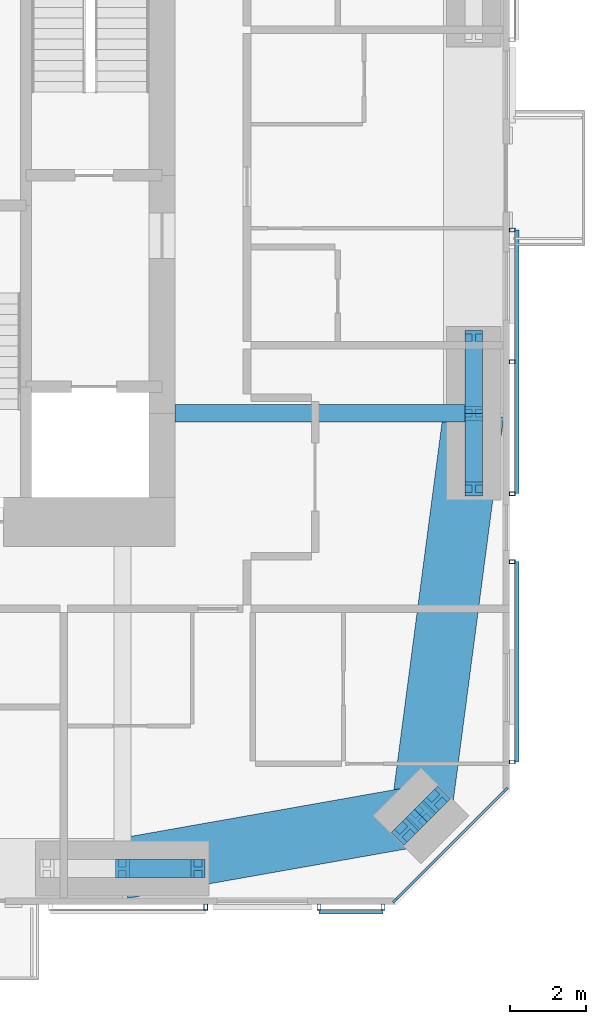
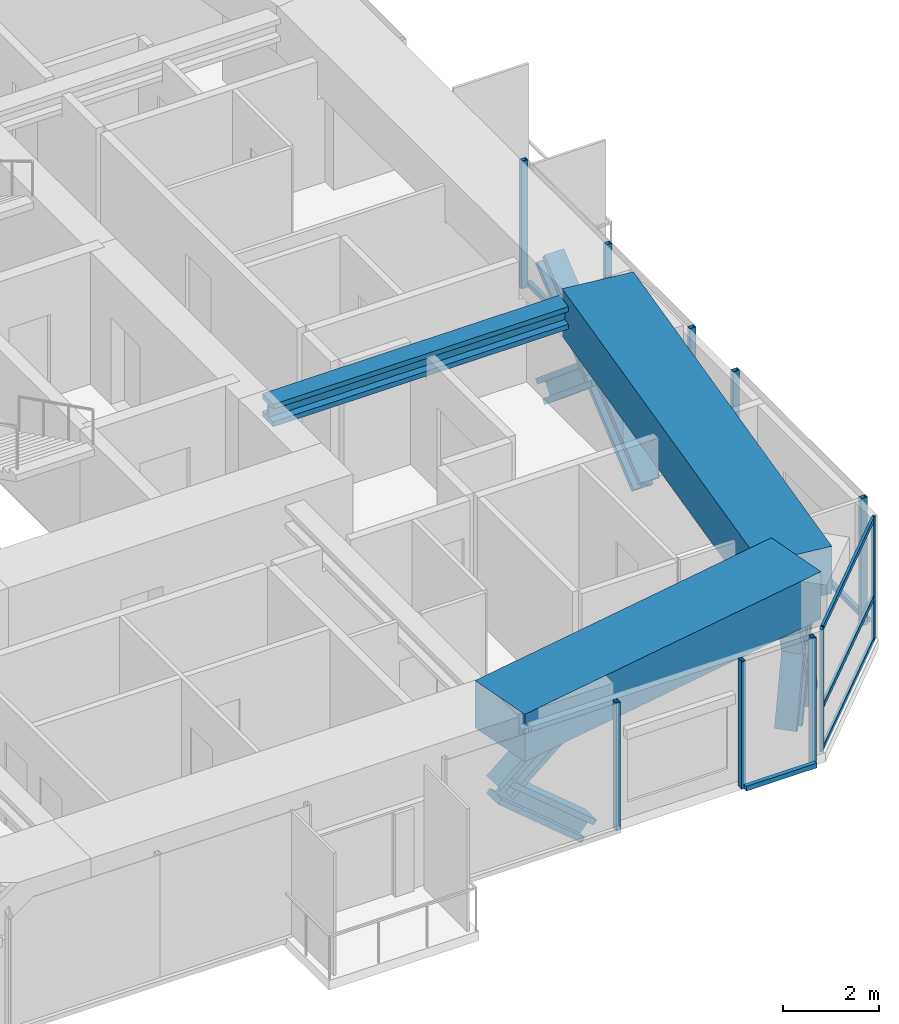
# One storey, part 7 of 22: 26 members, 3 beams, 5 elements without a shape of their own.
"""IFC4 building model written with IfcOpenShell, lengths in metres."""

from ifc_helpers import new_model, si_unit, direction, frame, origin, origin_2d, place, context, subcontext, project, spatial, rectangle, hollow_rectangle, i_section, extrude, material, material_profile, profile_set, type_object, element, aggregate, save


model = new_model("IFC4")

# Units and contexts
model_context = context("Model", 3, precision=1e-05, world=origin(), true_north=direction((0.0, 1.0)))
body_context = subcontext(model_context, "Body", "Model", "MODEL_VIEW")
ifc_project = project(units=[si_unit("LENGTHUNIT", "METRE"), si_unit("AREAUNIT", "SQUARE_METRE"), si_unit("VOLUMEUNIT", "CUBIC_METRE"), si_unit("PLANEANGLEUNIT", "RADIAN"), si_unit("MASSUNIT", "GRAM", prefix="KILO")], contexts=[model_context])

# Site, building, storey
site_placement = place(None, origin())
site = spatial("IfcSite", under=ifc_project, at=site_placement, CompositionType="ELEMENT")
building_placement = place(site_placement, origin())
building = spatial("IfcBuilding", under=site, at=building_placement, Name="Jalousie Tower", CompositionType="ELEMENT")
storey_placement = place(building_placement, frame((0.0, 0.0, 177.800048828125)))
storey = spatial("IfcBuildingStorey", under=building, at=storey_placement, Name="L48", CompositionType="ELEMENT", Elevation=177.800048828125)

# Curtain wall, members
ifc_material_1 = material(Name="Aluminium curtain wall", Category="aluminium")
curtain_wall_type_1 = type_object("IfcCurtainWallType", Name="CORNER WINDOW WALL", PredefinedType="USERDEFINED", material=ifc_material_1)
curtain_wall_1_placement = place(storey_placement, origin())
curtain_wall_1 = element("IfcCurtainWall", 1, at=curtain_wall_1_placement, inside=storey, type_object=curtain_wall_type_1, Name="Corner Window Wall L48 2", ObjectType="CORNER WINDOW WALL", PredefinedType="USERDEFINED")
ifc_material_2 = material(Name="Aluminium mullion", Category="aluminium")
ifc_material_profile_1 = material_profile(ifc_material_2, rectangle(XDim=0.06005859375, YDim=0.14990234375, at=origin_2d()), Name="MULLION 60x150")
ifc_profile_set_1 = profile_set([ifc_material_profile_1], Name="Aluminium mullion")
member_type_1 = type_object("IfcMemberType", Name="CORNER WINDOW WALL MULLION", PredefinedType="MULLION", material=ifc_profile_set_1)
member_1_placement = place(storey_placement, frame((49.969970703125, 0.108642578125, 0.0), z_axis=(0.0, 0.0, 1.0), x_axis=(-0.707106781187, 0.707106781187, 0.0)))
member_1 = element("IfcMember", 2, at=member_1_placement, type_object=member_type_1, Name="CW-C mullion 1", PredefinedType="MULLION", context=body_context, shape_type="SweptSolid", body=[
    extrude(rectangle(XDim=0.06005859375, YDim=0.14990234375, at=origin_2d()), origin(), (0.0, 0.0, 1.0), 3.10986328125),
])
member_2_placement = place(storey_placement, frame((52.891357421875, 3.030029296875, 0.0), z_axis=(0.0, 0.0, 1.0), x_axis=(-0.707106781187, 0.707106781187, 0.0)))
member_2 = element("IfcMember", 3, at=member_2_placement, type_object=member_type_1, Name="CW-C mullion 2", PredefinedType="MULLION", context=body_context, shape_type="SweptSolid", body=[
    extrude(rectangle(XDim=0.06005859375, YDim=0.14990234375, at=origin_2d()), origin(), (0.0, 0.0, 1.0), 3.10986328125),
])
ifc_material_3 = material(Name="Aluminium transom", Category="aluminium")
ifc_material_profile_2 = material_profile(ifc_material_3, rectangle(XDim=0.06005859375, YDim=0.1201171875, at=origin_2d()), Name="TRANSOM 60x120")
ifc_profile_set_2 = profile_set([ifc_material_profile_2], Name="Aluminium transom")
member_type_2 = type_object("IfcMemberType", Name="CORNER WINDOW WALL TRANSOM", PredefinedType="USERDEFINED", material=ifc_profile_set_2)
member_3_placement = place(storey_placement, frame((49.9912109375, 0.1298828125, 0.030029296875), z_axis=(0.707106781187, 0.707106781187, 0.0), x_axis=(-0.707106781187, 0.707106781187, 0.0)))
member_3 = element("IfcMember", 4, at=member_3_placement, type_object=member_type_2, Name="CW-C transom 1.1", ObjectType="TRANSOM", PredefinedType="USERDEFINED", context=body_context, shape_type="SweptSolid", body=[
    extrude(rectangle(XDim=0.06005859375, YDim=0.1201171875, at=origin_2d()), origin(), (0.0, 0.0, 1.0), 4.0712890625),
])
member_4_placement = place(storey_placement, frame((49.9912109375, 0.1298828125, 1.099853515625), z_axis=(0.707106781187, 0.707106781187, 0.0), x_axis=(-0.707106781187, 0.707106781187, 0.0)))
member_4 = element("IfcMember", 5, at=member_4_placement, type_object=member_type_2, Name="CW-C transom 1.2", ObjectType="TRANSOM", PredefinedType="USERDEFINED", context=body_context, shape_type="SweptSolid", body=[
    extrude(rectangle(XDim=0.06005859375, YDim=0.1201171875, at=origin_2d()), origin(), (0.0, 0.0, 1.0), 4.0712890625),
])
member_5_placement = place(storey_placement, frame((49.9912109375, 0.1298828125, 3.079833984375), z_axis=(0.707106781187, 0.707106781187, 0.0), x_axis=(-0.707106781187, 0.707106781187, 0.0)))
member_5 = element("IfcMember", 6, at=member_5_placement, type_object=member_type_2, Name="CW-C transom 1.3", ObjectType="TRANSOM", PredefinedType="USERDEFINED", context=body_context, shape_type="SweptSolid", body=[
    extrude(rectangle(XDim=0.06005859375, YDim=0.1201171875, at=origin_2d()), origin(), (0.0, 0.0, 1.0), 4.0712890625),
])
aggregate(curtain_wall_1, [member_1, member_2, member_3, member_4, member_5])

# Beam
ifc_material_4 = material(Name="Steel ASTM A992 Grade 50", Category="steel")
ifc_material_profile_3 = material_profile(ifc_material_4, i_section(OverallWidth=0.45458984375, OverallDepth=0.569091796875, WebThickness=0.077880859375, FlangeThickness=0.124755859375, at=origin_2d()), Name="W14X730")
ifc_profile_set_3 = profile_set([ifc_material_profile_3], Name="Steel ASTM A992 Grade 50")
beam_type_1 = type_object("IfcBeamType", Name="LEAN COLLECTOR W14X730", PredefinedType="BEAM", material=ifc_profile_set_3)
beam_1_placement = place(storey_placement, frame((52.050048828125, 13.0, 2.825439453125), z_axis=(-1.0, 0.0, 0.0), x_axis=(0.0, -1.0, 0.0)))
element("IfcBeam", 7, at=beam_1_placement, inside=storey, type_object=beam_type_1, Name="Lean collector under L49", PredefinedType="BEAM", context=body_context, shape_type="SweptSolid", body=[
    extrude(i_section(OverallWidth=0.45458984375, OverallDepth=0.569091796875, WebThickness=0.077880859375, FlangeThickness=0.124755859375, at=origin_2d()), origin(), (0.0, 0.0, 1.0), 7.900146484375),
])

# Members
ifc_material_5 = material(Name="Steel ASTM A992 Grade 50", Category="steel")
ifc_material_profile_4 = material_profile(ifc_material_5, i_section(OverallWidth=0.472412109375, OverallDepth=0.5791015625, WebThickness=0.094970703125, FlangeThickness=0.1298828125, at=origin_2d()), Name="W14X808")
ifc_profile_set_4 = profile_set([ifc_material_profile_4], Name="Steel ASTM A992 Grade 50")
member_type_3 = type_object("IfcMemberType", Name="PERIMETER BRACE W14X808", PredefinedType="BRACE", material=ifc_profile_set_4)
for number, where, z_axis, x_axis, name in (
    (8, (42.75, 0.949951171875, 1.074951171875), (0.766638753323, 0.0, 0.642078672674), (0.0, 1.0, 0.0), "Perimeter brace 04 L48 part 2"),
    (9, (44.75, 0.949951171875, -0.60009765625), (-0.766638753323, 0.0, 0.642078672674), (0.0, -1.0, 0.0), "Perimeter brace 04 L48 part 3"),
):
    element("IfcMember", number, at=place(storey_placement, frame(where, z_axis=z_axis, x_axis=x_axis)), inside=storey, type_object=member_type_3, Name=name, PredefinedType="BRACE", context=body_context, shape_type="SweptSolid", body=[
        extrude(i_section(OverallWidth=0.472412109375, OverallDepth=0.5791015625, WebThickness=0.094970703125, FlangeThickness=0.1298828125, at=origin_2d()), origin(), (0.0, 0.0, 1.0), 2.60888671875),
    ])
for number, where, z_axis, x_axis, name in (
    (10, (50.227294921875, 1.92431640625, -0.60009765625), (0.238482757655, 0.238345540878, 0.941444303953), (-0.706903267951, 0.707310235866, 0.0), "Perimeter brace 05 L48 part 1"),
    (11, (50.651611328125, 2.348388671875, 1.074951171875), (0.238345540878, 0.238482757655, 0.941444303953), (-0.707310235866, 0.706903267951, 0.0), "Perimeter brace 05 L48 part 2"),
    (12, (51.07568359375, 2.772705078125, -0.60009765625), (-0.238345540878, -0.238482757655, 0.941444303953), (0.707310235866, -0.706903267951, 0.0), "Perimeter brace 05 L48 part 3"),
    (13, (50.651611328125, 2.348388671875, 1.074951171875), (-0.238482757655, -0.238345540878, 0.941444303953), (0.706903267951, -0.707310235866, 0.0), "Perimeter brace 05 L48 part 4"),
):
    element("IfcMember", number, at=place(storey_placement, frame(where, z_axis=z_axis, x_axis=x_axis)), inside=storey, type_object=member_type_3, Name=name, PredefinedType="BRACE", context=body_context, shape_type="SweptSolid", body=[
        extrude(i_section(OverallWidth=0.472412109375, OverallDepth=0.5791015625, WebThickness=0.094970703125, FlangeThickness=0.1298828125, at=origin_2d()), origin(), (0.0, 0.0, 1.0), 1.779296875),
    ])
for number, where, z_axis, x_axis, name in (
    (14, (52.050048828125, 11.0, -0.60009765625), (0.0, 0.766638753323, 0.642078672674), (-1.0, 0.0, 0.0), "Perimeter brace 06 L48 part 1"),
    (15, (52.050048828125, 13.0, 1.074951171875), (0.0, 0.766638753323, 0.642078672674), (-1.0, 0.0, 0.0), "Perimeter brace 06 L48 part 2"),
    (16, (52.050048828125, 15.0, -0.60009765625), (0.0, -0.766638753323, 0.642078672674), (1.0, 0.0, 0.0), "Perimeter brace 06 L48 part 3"),
    (17, (52.050048828125, 13.0, 1.074951171875), (0.0, -0.766638753323, 0.642078672674), (1.0, 0.0, 0.0), "Perimeter brace 06 L48 part 4"),
):
    element("IfcMember", number, at=place(storey_placement, frame(where, z_axis=z_axis, x_axis=x_axis)), inside=storey, type_object=member_type_3, Name=name, PredefinedType="BRACE", context=body_context, shape_type="SweptSolid", body=[
        extrude(i_section(OverallWidth=0.472412109375, OverallDepth=0.5791015625, WebThickness=0.094970703125, FlangeThickness=0.1298828125, at=origin_2d()), origin(), (0.0, 0.0, 1.0), 2.60888671875),
    ])

# Beams
ifc_material_6 = material(Name="Concrete f'c 40 MPa", Category="concrete")
ifc_material_profile_5 = material_profile(ifc_material_6, rectangle(XDim=1.60009765625, YDim=1.199951171875, at=origin_2d()), Name="RC 1600x1200")
ifc_profile_set_5 = profile_set([ifc_material_profile_5], Name="Concrete f'c 40 MPa")
beam_type_2 = type_object("IfcBeamType", Name="RC BEAM 1600x1200", PredefinedType="BEAM", material=ifc_profile_set_5)
beam_2_placement = place(storey_placement, frame((42.75, 0.949951171875, 2.75), z_axis=(0.984697370688, 0.174273027632, 0.0), x_axis=(-0.174273027632, 0.984697370688, 0.0)))
element("IfcBeam", 18, at=beam_2_placement, inside=storey, type_object=beam_type_2, Name="Edge band beam 04-05 under L49", PredefinedType="BEAM", context=body_context, shape_type="SweptSolid", body=[
    extrude(rectangle(XDim=1.60009765625, YDim=1.199951171875, at=origin_2d()), origin(), (0.0, 0.0, 1.0), 8.0244140625),
])
beam_3_placement = place(storey_placement, frame((50.651611328125, 2.348388671875, 2.75), z_axis=(0.130171745558, 0.991491460709, 0.0), x_axis=(-0.991491460709, 0.130171745558, 0.0)))
element("IfcBeam", 19, at=beam_3_placement, inside=storey, type_object=beam_type_2, Name="Edge band beam 05-06 under L49", PredefinedType="BEAM", context=body_context, shape_type="SweptSolid", body=[
    extrude(rectangle(XDim=1.60009765625, YDim=1.199951171875, at=origin_2d()), origin(), (0.0, 0.0, 1.0), 10.742919921875),
])

# Curtain wall, member
ifc_material_7 = material(Name="Perforated aluminium sheet", Category="aluminium")
curtain_wall_type_2 = type_object("IfcCurtainWallType", Name="SOLAR SCREEN SS-1", PredefinedType="USERDEFINED", material=ifc_material_7)
curtain_wall_2_placement = place(storey_placement, origin())
curtain_wall_2 = element("IfcCurtainWall", 20, at=curtain_wall_2_placement, inside=storey, type_object=curtain_wall_type_2, Name="Solar screen L48", ObjectType="SOLAR SCREEN SS-1", PredefinedType="USERDEFINED")
ifc_material_8 = material(Name="Steel ASTM A500 Grade C", Category="steel")
ifc_material_profile_6 = material_profile(ifc_material_8, hollow_rectangle(XDim=0.1015625, YDim=0.15234375, WallThickness=0.00634765625, at=origin_2d()), Name="HSS6X4X1/4")
ifc_profile_set_6 = profile_set([ifc_material_profile_6], Name="Steel ASTM A500 Grade C")
member_type_4 = type_object("IfcMemberType", Name="SOLAR SCREEN SS-1 MULLION", PredefinedType="MULLION", material=ifc_profile_set_6)
member_6_placement = place(storey_placement, frame((44.956787109375, -0.0712890625, -0.1201171875), z_axis=(0.0, 0.0, 1.0), x_axis=(1.0, 0.0, 0.0)))
member_6 = element("IfcMember", 21, at=member_6_placement, type_object=member_type_4, Name="SS1 post 2", PredefinedType="MULLION", context=body_context, shape_type="SweptSolid", body=[
    extrude(hollow_rectangle(XDim=0.1015625, YDim=0.15234375, WallThickness=0.00634765625, at=origin_2d()), origin(), (0.0, 0.0, 1.0), 3.22998046875),
])
aggregate(curtain_wall_2, [member_6])

# Curtain wall, members
curtain_wall_3_placement = place(storey_placement, origin())
curtain_wall_3 = element("IfcCurtainWall", 22, at=curtain_wall_3_placement, inside=storey, type_object=curtain_wall_type_2, Name="Solar screen L48", ObjectType="SOLAR SCREEN SS-1", PredefinedType="USERDEFINED")
member_7_placement = place(storey_placement, frame((47.956787109375, -0.0712890625, -0.1201171875), z_axis=(0.0, 0.0, 1.0), x_axis=(1.0, 0.0, 0.0)))
member_7 = element("IfcMember", 23, at=member_7_placement, type_object=member_type_4, Name="SS1 post 1", PredefinedType="MULLION", context=body_context, shape_type="SweptSolid", body=[
    extrude(hollow_rectangle(XDim=0.1015625, YDim=0.15234375, WallThickness=0.00634765625, at=origin_2d()), origin(), (0.0, 0.0, 1.0), 3.22998046875),
])
member_8_placement = place(storey_placement, frame((49.648681640625, -0.0712890625, -0.1201171875), z_axis=(0.0, 0.0, 1.0), x_axis=(1.0, 0.0, 0.0)))
member_8 = element("IfcMember", 24, at=member_8_placement, type_object=member_type_4, Name="SS1 post 2", PredefinedType="MULLION", context=body_context, shape_type="SweptSolid", body=[
    extrude(hollow_rectangle(XDim=0.1015625, YDim=0.15234375, WallThickness=0.00634765625, at=origin_2d()), origin(), (0.0, 0.0, 1.0), 3.22998046875),
])

curtain_wall_4_placement = place(storey_placement, origin())
curtain_wall_4 = element("IfcCurtainWall", 25, at=curtain_wall_4_placement, inside=storey, type_object=curtain_wall_type_2, Name="Solar screen L48", ObjectType="SOLAR SCREEN SS-1", PredefinedType="USERDEFINED")
member_9_placement = place(storey_placement, frame((53.0712890625, 3.771240234375, -0.1201171875), z_axis=(0.0, 0.0, 1.0), x_axis=(0.0, 1.0, 0.0)))
member_9 = element("IfcMember", 26, at=member_9_placement, type_object=member_type_4, Name="SS1 post 1", PredefinedType="MULLION", context=body_context, shape_type="SweptSolid", body=[
    extrude(hollow_rectangle(XDim=0.1015625, YDim=0.15234375, WallThickness=0.00634765625, at=origin_2d()), origin(), (0.0, 0.0, 1.0), 3.22998046875),
])
member_10_placement = place(storey_placement, frame((53.0712890625, 9.072021484375, -0.1201171875), z_axis=(0.0, 0.0, 1.0), x_axis=(0.0, 1.0, 0.0)))
member_10 = element("IfcMember", 27, at=member_10_placement, type_object=member_type_4, Name="SS1 post 2", PredefinedType="MULLION", context=body_context, shape_type="SweptSolid", body=[
    extrude(hollow_rectangle(XDim=0.1015625, YDim=0.15234375, WallThickness=0.00634765625, at=origin_2d()), origin(), (0.0, 0.0, 1.0), 3.22998046875),
])

curtain_wall_5_placement = place(storey_placement, origin())
curtain_wall_5 = element("IfcCurtainWall", 28, at=curtain_wall_5_placement, inside=storey, type_object=curtain_wall_type_2, Name="Solar screen L48", ObjectType="SOLAR SCREEN SS-1", PredefinedType="USERDEFINED")
member_11_placement = place(storey_placement, frame((53.0712890625, 10.871826171875, -0.1201171875), z_axis=(0.0, 0.0, 1.0), x_axis=(0.0, 1.0, 0.0)))
member_11 = element("IfcMember", 29, at=member_11_placement, type_object=member_type_4, Name="SS1 post 1", PredefinedType="MULLION", context=body_context, shape_type="SweptSolid", body=[
    extrude(hollow_rectangle(XDim=0.1015625, YDim=0.15234375, WallThickness=0.00634765625, at=origin_2d()), origin(), (0.0, 0.0, 1.0), 3.22998046875),
])
member_12_placement = place(storey_placement, frame((53.0712890625, 14.361083984375, -0.1201171875), z_axis=(0.0, 0.0, 1.0), x_axis=(0.0, 1.0, 0.0)))
member_12 = element("IfcMember", 30, at=member_12_placement, type_object=member_type_4, Name="SS1 post 2", PredefinedType="MULLION", context=body_context, shape_type="SweptSolid", body=[
    extrude(hollow_rectangle(XDim=0.1015625, YDim=0.15234375, WallThickness=0.00634765625, at=origin_2d()), origin(), (0.0, 0.0, 1.0), 3.22998046875),
])
member_13_placement = place(storey_placement, frame((53.0712890625, 17.85009765625, -0.1201171875), z_axis=(0.0, 0.0, 1.0), x_axis=(0.0, 1.0, 0.0)))
member_13 = element("IfcMember", 31, at=member_13_placement, type_object=member_type_4, Name="SS1 post 3", PredefinedType="MULLION", context=body_context, shape_type="SweptSolid", body=[
    extrude(hollow_rectangle(XDim=0.1015625, YDim=0.15234375, WallThickness=0.00634765625, at=origin_2d()), origin(), (0.0, 0.0, 1.0), 3.22998046875),
])

# Member
ifc_material_9 = material(Name="Extruded aluminium screen rail", Category="aluminium")
ifc_material_profile_7 = material_profile(ifc_material_9, rectangle(XDim=0.1015625, YDim=0.1201171875, at=origin_2d()), Name="RAIL 102x120")
ifc_profile_set_7 = profile_set([ifc_material_profile_7], Name="Extruded aluminium screen rail")
member_type_5 = type_object("IfcMemberType", Name="SOLAR SCREEN SS-1 TRANSOM", PredefinedType="USERDEFINED", material=ifc_profile_set_7)
member_14_placement = place(storey_placement, frame((47.956787109375, -0.1982421875, -0.06005859375), z_axis=(1.0, 0.0, 0.0), x_axis=(0.0, 1.0, 0.0)))
member_14 = element("IfcMember", 32, at=member_14_placement, type_object=member_type_5, Name="SS1 rail", ObjectType="TRANSOM", PredefinedType="USERDEFINED", context=body_context, shape_type="SweptSolid", body=[
    extrude(rectangle(XDim=0.1015625, YDim=0.1201171875, at=origin_2d()), origin(), (0.0, 0.0, 1.0), 1.69189453125),
])

aggregate(curtain_wall_3, [member_7, member_8, member_14])

member_15_placement = place(storey_placement, frame((53.1982421875, 3.771240234375, -0.06005859375), z_axis=(0.0, 1.0, 0.0), x_axis=(-1.0, 0.0, 0.0)))
member_15 = element("IfcMember", 33, at=member_15_placement, type_object=member_type_5, Name="SS1 rail", ObjectType="TRANSOM", PredefinedType="USERDEFINED", context=body_context, shape_type="SweptSolid", body=[
    extrude(rectangle(XDim=0.1015625, YDim=0.1201171875, at=origin_2d()), origin(), (0.0, 0.0, 1.0), 5.30078125),
])

aggregate(curtain_wall_4, [member_9, member_10, member_15])

member_16_placement = place(storey_placement, frame((53.1982421875, 10.871826171875, -0.06005859375), z_axis=(0.0, 1.0, 0.0), x_axis=(-1.0, 0.0, 0.0)))
member_16 = element("IfcMember", 34, at=member_16_placement, type_object=member_type_5, Name="SS1 rail", ObjectType="TRANSOM", PredefinedType="USERDEFINED", context=body_context, shape_type="SweptSolid", body=[
    extrude(rectangle(XDim=0.1015625, YDim=0.1201171875, at=origin_2d()), origin(), (0.0, 0.0, 1.0), 6.978271484375),
])

aggregate(curtain_wall_5, [member_11, member_12, member_13, member_16])

save(model, "model.ifc")
